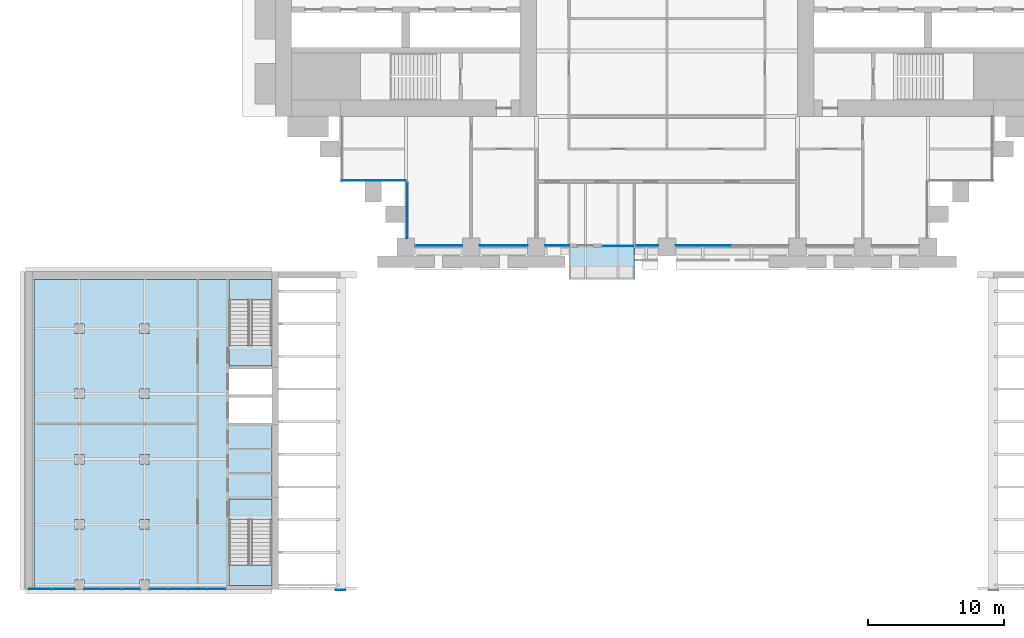
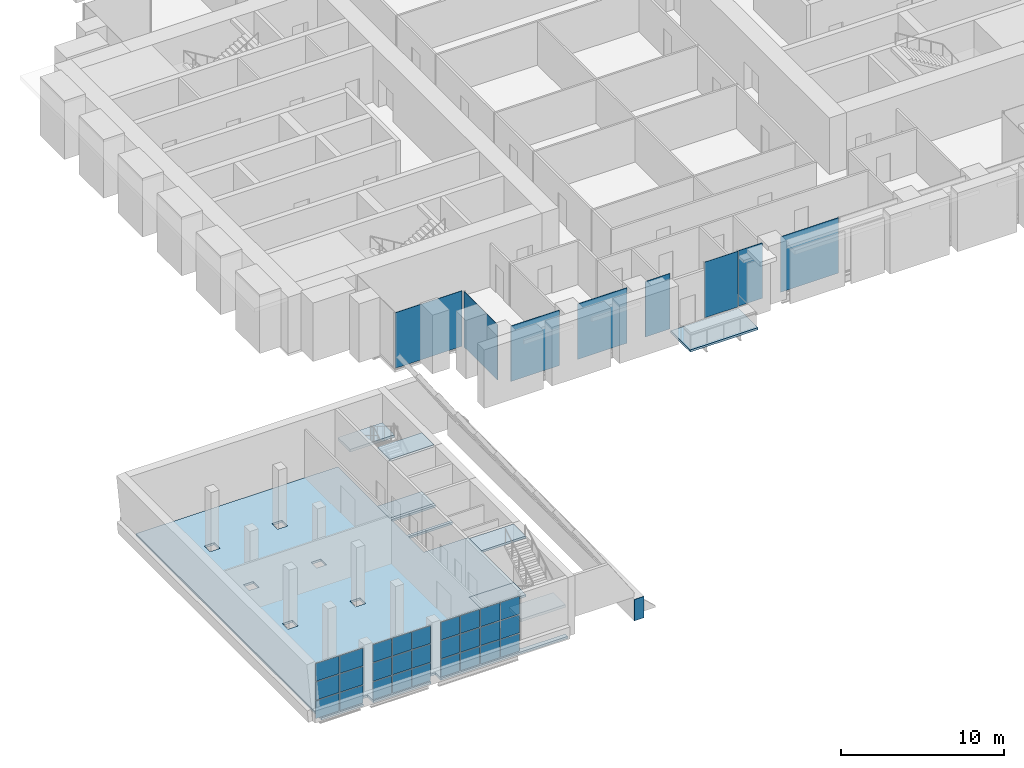
# One storey, part 18 of 32: 36 plates, 8 slabs, 10 elements without a shape of their own.
"""IFC4 building model written with IfcOpenShell, lengths in metres."""

from ifc_helpers import new_model, si_unit, direction, frame, origin, origin_2d, place, context, subcontext, project, spatial, polyline, rectangle, outline, extrude, material, layer, layer_set, type_object, element, aggregate, save


model = new_model("IFC4")

# Units and contexts
model_context = context("Model", 3, precision=1e-05, world=origin(), true_north=direction((0.0, 1.0)))
body_context = subcontext(model_context, "Body", "Model", "MODEL_VIEW")
ifc_project = project(units=[si_unit("LENGTHUNIT", "METRE"), si_unit("AREAUNIT", "SQUARE_METRE"), si_unit("VOLUMEUNIT", "CUBIC_METRE"), si_unit("PLANEANGLEUNIT", "RADIAN"), si_unit("MASSUNIT", "GRAM", prefix="KILO")], contexts=[model_context])

# Site, building, storey
site_placement = place(None, origin())
site = spatial("IfcSite", under=ifc_project, at=site_placement, CompositionType="ELEMENT")
building_placement = place(site_placement, origin())
building = spatial("IfcBuilding", under=site, at=building_placement, Name="Baori Bourse Tower", CompositionType="ELEMENT")
storey_placement = place(building_placement, frame((0.0, 0.0, 21.39990234375)))
storey = spatial("IfcBuildingStorey", under=building, at=storey_placement, Name="L03", CompositionType="ELEMENT", Elevation=21.39990234375)

# Slab
ifc_material_1 = material(Name="Concrete f'c 40 MPa", Category="concrete")
ifc_layer_1 = layer(ifc_material_1, 0.159912109375)
ifc_layer_set_1 = layer_set([ifc_layer_1], Name="BL2 Balcony slab 160")
slab_type_1 = type_object("IfcSlabType", Name="BL2 Balcony slab 160", PredefinedType="FLOOR", material=ifc_layer_set_1)
slab_1_placement = place(storey_placement, frame((0.0, 0.0, -0.159912109375)))
element("IfcSlab", 1, at=slab_1_placement, inside=storey, type_object=slab_type_1, Name="Balcony slab L03 S", PredefinedType="FLOOR", context=body_context, shape_type="SweptSolid", body=[
    extrude(outline(polyline([(21.60009765625, 0.0), (21.60009765625, -2.39990234375), (26.39990234375, -2.39990234375), (26.39990234375, 0.0), (21.60009765625, 0.0)])), origin(), (0.0, 0.0, 1.0), 0.159912109375),
])

# Curtain wall, plates
ifc_material_2 = material(Name="Pale anodised aluminium", Category="aluminium")
curtain_wall_type_1 = type_object("IfcCurtainWallType", Name="CW1 Curtain wall", PredefinedType="NOTDEFINED", material=ifc_material_2)
curtain_wall_1_placement = place(storey_placement, origin())
curtain_wall_1 = element("IfcCurtainWall", 2, at=curtain_wall_1_placement, inside=storey, type_object=curtain_wall_type_1, Name="Curtain wall CW1 L03 13", PredefinedType="NOTDEFINED")
ifc_material_3 = material(Name="Clear glass", Category="glass")
ifc_layer_2 = layer(ifc_material_3, 0.033935546875)
ifc_layer_set_2 = layer_set([ifc_layer_2], Name="CW1 Curtain wall panel")
plate_type_1 = type_object("IfcPlateType", Name="CW1 Curtain wall panel", PredefinedType="CURTAIN_PANEL", material=ifc_layer_set_2)
plate_1_placement = place(storey_placement, frame((12.030029296875, 0.10009765625, 0.080078125), z_axis=(0.0, 0.0, 1.0), x_axis=(1.0, 0.0, 0.0)))
plate_1 = element("IfcPlate", 3, at=plate_1_placement, type_object=plate_type_1, Name="Curtain wall CW1 panel", PredefinedType="CURTAIN_PANEL", context=body_context, shape_type="SweptSolid", body=[
    extrude(rectangle(XDim=3.43994140625, YDim=0.033935546875, at=origin_2d()), origin(), (0.0, 0.0, 1.0), 4.159912109375),
])
plate_2_placement = place(storey_placement, frame((16.800048828125, 0.10009765625, 0.080078125), z_axis=(0.0, 0.0, 1.0), x_axis=(1.0, 0.0, 0.0)))
plate_2 = element("IfcPlate", 4, at=plate_2_placement, type_object=plate_type_1, Name="Curtain wall CW1 panel", PredefinedType="CURTAIN_PANEL", context=body_context, shape_type="SweptSolid", body=[
    extrude(rectangle(XDim=3.5, YDim=0.033935546875, at=origin_2d()), origin(), (0.0, 0.0, 1.0), 4.159912109375),
])
plate_3_placement = place(storey_placement, frame((20.72509765625, 0.10009765625, 0.080078125), z_axis=(0.0, 0.0, 1.0), x_axis=(1.0, 0.0, 0.0)))
plate_3 = element("IfcPlate", 5, at=plate_3_placement, type_object=plate_type_1, Name="Curtain wall CW1 panel", PredefinedType="CURTAIN_PANEL", context=body_context, shape_type="SweptSolid", body=[
    extrude(rectangle(XDim=1.75, YDim=0.033935546875, at=origin_2d()), origin(), (0.0, 0.0, 1.0), 4.159912109375),
])
aggregate(curtain_wall_1, [plate_1, plate_2, plate_3])

curtain_wall_2_placement = place(storey_placement, origin())
curtain_wall_2 = element("IfcCurtainWall", 6, at=curtain_wall_2_placement, inside=storey, type_object=curtain_wall_type_1, Name="Curtain wall CW1 L03 15", PredefinedType="NOTDEFINED")
plate_4_placement = place(storey_placement, frame((27.304931640625, 0.10009765625, 0.080078125), z_axis=(0.0, 0.0, 1.0), x_axis=(1.0, 0.0, 0.0)))
plate_4 = element("IfcPlate", 7, at=plate_4_placement, type_object=plate_type_1, Name="Curtain wall CW1 panel", PredefinedType="CURTAIN_PANEL", context=body_context, shape_type="SweptSolid", body=[
    extrude(rectangle(XDim=1.68994140625, YDim=0.033935546875, at=origin_2d()), origin(), (0.0, 0.0, 1.0), 4.159912109375),
])
plate_5_placement = place(storey_placement, frame((31.510009765625, 0.10009765625, 0.080078125), z_axis=(0.0, 0.0, 1.0), x_axis=(1.0, 0.0, 0.0)))
plate_5 = element("IfcPlate", 8, at=plate_5_placement, type_object=plate_type_1, Name="Curtain wall CW1 panel", PredefinedType="CURTAIN_PANEL", context=body_context, shape_type="SweptSolid", body=[
    extrude(rectangle(XDim=4.1201171875, YDim=0.033935546875, at=origin_2d()), origin(), (0.0, 0.0, 1.0), 4.159912109375),
])
aggregate(curtain_wall_2, [plate_4, plate_5])

# Curtain wall, plate
ifc_material_4 = material(Name="Pale anodised aluminium", Category="aluminium")
curtain_wall_type_2 = type_object("IfcCurtainWallType", Name="CW2 Curtain wall", PredefinedType="NOTDEFINED", material=ifc_material_4)
curtain_wall_3_placement = place(storey_placement, origin())
curtain_wall_3 = element("IfcCurtainWall", 9, at=curtain_wall_3_placement, inside=storey, type_object=curtain_wall_type_2, Name="Curtain wall CW2 L03 11", PredefinedType="NOTDEFINED")
ifc_material_5 = material(Name="Clear glass", Category="glass")
ifc_layer_3 = layer(ifc_material_5, 0.030029296875)
ifc_layer_set_3 = layer_set([ifc_layer_3], Name="CW2 Curtain wall panel")
plate_type_2 = type_object("IfcPlateType", Name="CW2 Curtain wall panel", PredefinedType="CURTAIN_PANEL", material=ifc_layer_set_3)
plate_6_placement = place(storey_placement, frame((7.2275390625, 4.889892578125, 0.070068359375), z_axis=(0.0, 0.0, 1.0), x_axis=(1.0, 0.0, 0.0)))
plate_6 = element("IfcPlate", 10, at=plate_6_placement, type_object=plate_type_2, Name="Curtain wall CW2 panel", PredefinedType="CURTAIN_PANEL", context=body_context, shape_type="SweptSolid", body=[
    extrude(rectangle(XDim=4.7451171875, YDim=0.030029296875, at=origin_2d()), origin(), (0.0, 0.0, 1.0), 4.169921875),
])
aggregate(curtain_wall_3, [plate_6])

curtain_wall_4_placement = place(storey_placement, origin())
curtain_wall_4 = element("IfcCurtainWall", 11, at=curtain_wall_4_placement, inside=storey, type_object=curtain_wall_type_2, Name="Curtain wall CW2 L03 12", PredefinedType="NOTDEFINED")
plate_7_placement = place(storey_placement, frame((9.68994140625, 2.697509765625, 0.070068359375), z_axis=(0.0, 0.0, 1.0), x_axis=(0.0, -1.0, 0.0)))
plate_7 = element("IfcPlate", 12, at=plate_7_placement, type_object=plate_type_2, Name="Curtain wall CW2 panel", PredefinedType="CURTAIN_PANEL", context=body_context, shape_type="SweptSolid", body=[
    extrude(rectangle(XDim=4.094970703125, YDim=0.030029296875, at=origin_2d()), origin(), (0.0, 0.0, 1.0), 4.169921875),
])
aggregate(curtain_wall_4, [plate_7])

ifc_material_6 = material(Name="Pale anodised aluminium", Category="aluminium")
curtain_wall_type_3 = type_object("IfcCurtainWallType", Name="CW6 Curtain wall", PredefinedType="NOTDEFINED", material=ifc_material_6)
curtain_wall_5_placement = place(storey_placement, origin())
curtain_wall_5 = element("IfcCurtainWall", 13, at=curtain_wall_5_placement, inside=storey, type_object=curtain_wall_type_3, Name="Curtain wall CW6 L03 14", PredefinedType="NOTDEFINED")
ifc_material_7 = material(Name="Clear glass", Category="glass")
ifc_layer_4 = layer(ifc_material_7, 0.028076171875)
ifc_layer_set_4 = layer_set([ifc_layer_4], Name="CW6 Curtain wall panel")
plate_type_3 = type_object("IfcPlateType", Name="CW6 Curtain wall panel", PredefinedType="CURTAIN_PANEL", material=ifc_layer_set_4)
plate_8_placement = place(storey_placement, frame((25.22509765625, 0.074951171875, 0.06494140625), z_axis=(0.0, 0.0, 1.0), x_axis=(1.0, 0.0, 0.0)))
plate_8 = element("IfcPlate", 14, at=plate_8_placement, type_object=plate_type_3, Name="Curtain wall CW6 panel", PredefinedType="CURTAIN_PANEL", context=body_context, shape_type="SweptSolid", body=[
    extrude(rectangle(XDim=2.35009765625, YDim=0.028076171875, at=origin_2d()), origin(), (0.0, 0.0, 1.0), 4.175048828125),
])
aggregate(curtain_wall_5, [plate_8])

# Stair, slabs
ifc_material_8 = material(Name="Concrete f'c 40 MPa", Category="concrete")
stair_type = type_object("IfcStairType", Name="Wing exit stair 1500", PredefinedType="HALF_TURN_STAIR", material=ifc_material_8)
stair_1_placement = place(storey_placement, origin())
stair_1 = element("IfcStair", 15, at=stair_1_placement, inside=storey, type_object=stair_type, Name="L03 Exit stair WA", PredefinedType="HALF_TURN_STAIR")
ifc_material_9 = material(Name="Concrete f'c 40 MPa", Category="concrete")
ifc_layer_5 = layer(ifc_material_9, 0.159912109375)
ifc_layer_set_5 = layer_set([ifc_layer_5], Name="Exit stair arrival landing 160")
slab_type_2 = type_object("IfcSlabType", Name="Exit stair arrival landing 160", PredefinedType="LANDING", material=ifc_layer_set_5)
slab_2_placement = place(storey_placement, frame((0.0, 0.0, -0.159912109375)))
slab_2 = element("IfcSlab", 16, at=slab_2_placement, type_object=slab_type_2, Name="L03 exit stair WA arrival landing", PredefinedType="LANDING", context=body_context, shape_type="SweptSolid", body=[
    extrude(outline(polyline([(-0.25, -7.258544921875), (-3.39990234375, -7.258544921875), (-3.39990234375, -8.760009765625), (-0.25, -8.760009765625), (-0.25, -7.258544921875)])), origin(), (0.0, 0.0, 1.0), 0.159912109375),
])
placement = place(building_placement, frame((0.0, 0.0, 25.800048828125)))
slab_3_placement = place(placement, frame((0.0, 0.0, -0.16015625)))
slab_3 = element("IfcSlab", 17, at=slab_3_placement, type_object=slab_type_2, Name="L04 exit stair WA arrival landing", PredefinedType="LANDING", context=body_context, shape_type="SweptSolid", body=[
    extrude(outline(polyline([(-0.25, -7.258544921875), (-3.39990234375, -7.258544921875), (-3.39990234375, -8.760009765625), (-0.25, -8.760009765625), (-0.25, -7.258544921875)])), origin(), (0.0, 0.0, 1.0), 0.16015625),
])

stair_2_placement = place(storey_placement, origin())
stair_2 = element("IfcStair", 18, at=stair_2_placement, inside=storey, type_object=stair_type, Name="L03 Exit stair WB", PredefinedType="HALF_TURN_STAIR")
slab_4_placement = place(storey_placement, frame((0.0, 0.0, -0.159912109375)))
slab_4 = element("IfcSlab", 19, at=slab_4_placement, type_object=slab_type_2, Name="L03 exit stair WB arrival landing", PredefinedType="LANDING", context=body_context, shape_type="SweptSolid", body=[
    extrude(outline(polyline([(-3.39990234375, -20.04150390625), (-0.25, -20.04150390625), (-0.25, -18.5400390625), (-3.39990234375, -18.5400390625), (-3.39990234375, -20.04150390625)])), origin(), (0.0, 0.0, 1.0), 0.159912109375),
])
slab_5_placement = place(placement, frame((0.0, 0.0, -0.16015625)))
slab_5 = element("IfcSlab", 20, at=slab_5_placement, type_object=slab_type_2, Name="L04 exit stair WB arrival landing", PredefinedType="LANDING", context=body_context, shape_type="SweptSolid", body=[
    extrude(outline(polyline([(-3.39990234375, -20.04150390625), (-0.25, -20.04150390625), (-0.25, -18.5400390625), (-3.39990234375, -18.5400390625), (-3.39990234375, -20.04150390625)])), origin(), (0.0, 0.0, 1.0), 0.16015625),
])

# Plate
ifc_material_10 = material(Name="Steel A572 Gr 50", Category="steel")
ifc_layer_6 = layer(ifc_material_10, 0.030029296875)
ifc_layer_set_6 = layer_set([ifc_layer_6], Name="Girder end plate 30")
plate_type_4 = type_object("IfcPlateType", Name="Girder end plate 30", PredefinedType="SHEET", material=ifc_layer_set_6)
plate_9_placement = place(storey_placement, frame((0.0, 0.0, -0.47314453125)))
element("IfcPlate", 21, at=plate_9_placement, inside=storey, type_object=plate_type_4, Name="Girder end plate", PredefinedType="SHEET", context=body_context, shape_type="SweptSolid", body=[
    extrude(outline(polyline([(4.449951171875, -25.22998046875), (5.14990234375, -25.22998046875), (5.14990234375, -25.199951171875), (4.449951171875, -25.199951171875), (4.449951171875, -25.22998046875)])), origin(), (0.0, 0.0, 1.0), 1.599853515625),
])

# Slab
ifc_material_11 = material(Name="Concrete f'c 40 MPa", Category="concrete")
ifc_layer_7 = layer(ifc_material_11, 0.159912109375)
ifc_layer_set_7 = layer_set([ifc_layer_7], Name="Wing floor slab 160")
slab_type_3 = type_object("IfcSlabType", Name="Wing floor slab 160", PredefinedType="FLOOR", material=ifc_layer_set_7)
slab_6_placement = place(storey_placement, frame((0.0, 0.0, -0.159912109375)))
element("IfcSlab", 22, at=slab_6_placement, inside=storey, type_object=slab_type_3, Name="wing/L03/Wfloor/001", PredefinedType="FLOOR", context=body_context, shape_type="SweptSolid", body=[
    extrude(outline(polyline([(-0.25, -10.860107421875), (-3.39990234375, -10.860107421875), (-3.39990234375, -8.9599609375), (-0.25, -8.9599609375), (-0.25, -8.760009765625), (-3.39990234375, -8.760009765625), (-3.39990234375, -2.39990234375), (-17.734619140625, -2.39990234375), (-17.734619140625, -25.199951171875), (-14.75, -25.199951171875), (-14.75, -24.5), (-14.050048828125, -24.5), (-14.050048828125, -25.199951171875), (-9.949951171875, -25.199951171875), (-9.949951171875, -24.5), (-9.25, -24.5), (-9.25, -25.199951171875), (-0.25, -25.199951171875), (-0.25, -24.89990234375), (-3.39990234375, -24.89990234375), (-3.39990234375, -18.5400390625), (-0.25, -18.5400390625), (-0.25, -12.9599609375), (-3.39990234375, -12.9599609375), (-3.39990234375, -11.06005859375), (-0.25, -11.06005859375), (-0.25, -10.860107421875)]), holes=[polyline([(-14.75, -20.050048828125), (-14.75, -20.75), (-14.050048828125, -20.75), (-14.050048828125, -20.050048828125), (-14.75, -20.050048828125)]), polyline([(-14.050048828125, -15.25), (-14.75, -15.25), (-14.75, -15.949951171875), (-14.050048828125, -15.949951171875), (-14.050048828125, -15.25)]), polyline([(-14.050048828125, -11.14990234375), (-14.050048828125, -10.449951171875), (-14.75, -10.449951171875), (-14.75, -11.14990234375), (-14.050048828125, -11.14990234375)]), polyline([(-14.75, -6.35009765625), (-14.050048828125, -6.35009765625), (-14.050048828125, -5.64990234375), (-14.75, -5.64990234375), (-14.75, -6.35009765625)]), polyline([(-9.25, -20.050048828125), (-9.949951171875, -20.050048828125), (-9.949951171875, -20.75), (-9.25, -20.75), (-9.25, -20.050048828125)]), polyline([(-9.25, -15.949951171875), (-9.25, -15.25), (-9.949951171875, -15.25), (-9.949951171875, -15.949951171875), (-9.25, -15.949951171875)]), polyline([(-9.949951171875, -11.14990234375), (-9.25, -11.14990234375), (-9.25, -10.449951171875), (-9.949951171875, -10.449951171875), (-9.949951171875, -11.14990234375)]), polyline([(-9.949951171875, -5.64990234375), (-9.949951171875, -6.35009765625), (-9.25, -6.35009765625), (-9.25, -5.64990234375), (-9.949951171875, -5.64990234375)])]), origin(), (0.0, 0.0, 1.0), 0.159912109375),
])

# Curtain wall, plates
ifc_material_12 = material(Name="Pale anodised aluminium", Category="aluminium")
ifc_layer_8 = layer(ifc_material_12, 0.10009765625)
ifc_layer_set_8 = layer_set([ifc_layer_8], Name="Wing curtain wall")
curtain_wall_type_4 = type_object("IfcCurtainWallType", Name="Wing curtain wall", PredefinedType="NOTDEFINED", material=ifc_layer_set_8)
curtain_wall_6_placement = place(storey_placement, origin())
curtain_wall_6 = element("IfcCurtainWall", 23, at=curtain_wall_6_placement, inside=storey, type_object=curtain_wall_type_4, Name="wing/L03/Wcw/001", PredefinedType="NOTDEFINED")
ifc_material_13 = material(Name="Clear glass", Category="glass")
ifc_layer_9 = layer(ifc_material_13, 0.028076171875)
ifc_layer_set_9 = layer_set([ifc_layer_9], Name="Wing glass panel 28")
plate_type_5 = type_object("IfcPlateType", Name="Wing glass panel 28", PredefinedType="CURTAIN_PANEL", material=ifc_layer_set_9)
plate_10_placement = place(storey_placement, frame((-17.290283203125, -25.14990234375, 0.06005859375), z_axis=(0.0, 0.0, 1.0), x_axis=(1.0, 0.0, 0.0)))
plate_10 = element("IfcPlate", 24, at=plate_10_placement, type_object=plate_type_5, Name="X12 panel 1.1", PredefinedType="CURTAIN_PANEL", context=body_context, shape_type="SweptSolid", body=[
    extrude(rectangle(XDim=1.646728515625, YDim=0.028076171875, at=origin_2d()), origin(), (0.0, 0.0, 1.0), 1.3232421875),
])
plate_11_placement = place(storey_placement, frame((-17.290283203125, -25.14990234375, 1.443359375), z_axis=(0.0, 0.0, 1.0), x_axis=(1.0, 0.0, 0.0)))
plate_11 = element("IfcPlate", 25, at=plate_11_placement, type_object=plate_type_5, Name="X12 panel 1.2", PredefinedType="CURTAIN_PANEL", context=body_context, shape_type="SweptSolid", body=[
    extrude(rectangle(XDim=1.646728515625, YDim=0.028076171875, at=origin_2d()), origin(), (0.0, 0.0, 1.0), 1.353271484375),
])
plate_12_placement = place(storey_placement, frame((-17.290283203125, -25.14990234375, 2.856689453125), z_axis=(0.0, 0.0, 1.0), x_axis=(1.0, 0.0, 0.0)))
plate_12 = element("IfcPlate", 26, at=plate_12_placement, type_object=plate_type_5, Name="X12 panel 1.3", PredefinedType="CURTAIN_PANEL", context=body_context, shape_type="SweptSolid", body=[
    extrude(rectangle(XDim=1.646728515625, YDim=0.028076171875, at=origin_2d()), origin(), (0.0, 0.0, 1.0), 1.3232421875),
])
plate_13_placement = place(storey_placement, frame((-15.58349609375, -25.14990234375, 0.06005859375), z_axis=(0.0, 0.0, 1.0), x_axis=(1.0, 0.0, 0.0)))
plate_13 = element("IfcPlate", 27, at=plate_13_placement, type_object=plate_type_5, Name="X12 panel 2.1", PredefinedType="CURTAIN_PANEL", context=body_context, shape_type="SweptSolid", body=[
    extrude(rectangle(XDim=1.646728515625, YDim=0.028076171875, at=origin_2d()), origin(), (0.0, 0.0, 1.0), 1.3232421875),
])
plate_14_placement = place(storey_placement, frame((-15.58349609375, -25.14990234375, 1.443359375), z_axis=(0.0, 0.0, 1.0), x_axis=(1.0, 0.0, 0.0)))
plate_14 = element("IfcPlate", 28, at=plate_14_placement, type_object=plate_type_5, Name="X12 panel 2.2", PredefinedType="CURTAIN_PANEL", context=body_context, shape_type="SweptSolid", body=[
    extrude(rectangle(XDim=1.646728515625, YDim=0.028076171875, at=origin_2d()), origin(), (0.0, 0.0, 1.0), 1.353271484375),
])
plate_15_placement = place(storey_placement, frame((-15.58349609375, -25.14990234375, 2.856689453125), z_axis=(0.0, 0.0, 1.0), x_axis=(1.0, 0.0, 0.0)))
plate_15 = element("IfcPlate", 29, at=plate_15_placement, type_object=plate_type_5, Name="X12 panel 2.3", PredefinedType="CURTAIN_PANEL", context=body_context, shape_type="SweptSolid", body=[
    extrude(rectangle(XDim=1.646728515625, YDim=0.028076171875, at=origin_2d()), origin(), (0.0, 0.0, 1.0), 1.3232421875),
])
aggregate(curtain_wall_6, [plate_10, plate_11, plate_12, plate_13, plate_14, plate_15])

curtain_wall_7_placement = place(storey_placement, origin())
curtain_wall_7 = element("IfcCurtainWall", 30, at=curtain_wall_7_placement, inside=storey, type_object=curtain_wall_type_4, Name="wing/L03/Wcw/002", PredefinedType="NOTDEFINED")
plate_16_placement = place(storey_placement, frame((-13.385009765625, -25.14990234375, 0.06005859375), z_axis=(0.0, 0.0, 1.0), x_axis=(1.0, 0.0, 0.0)))
plate_16 = element("IfcPlate", 31, at=plate_16_placement, type_object=plate_type_5, Name="X12 panel 1.1", PredefinedType="CURTAIN_PANEL", context=body_context, shape_type="SweptSolid", body=[
    extrude(rectangle(XDim=1.31005859375, YDim=0.028076171875, at=origin_2d()), origin(), (0.0, 0.0, 1.0), 1.3232421875),
])
plate_17_placement = place(storey_placement, frame((-13.385009765625, -25.14990234375, 1.443359375), z_axis=(0.0, 0.0, 1.0), x_axis=(1.0, 0.0, 0.0)))
plate_17 = element("IfcPlate", 32, at=plate_17_placement, type_object=plate_type_5, Name="X12 panel 1.2", PredefinedType="CURTAIN_PANEL", context=body_context, shape_type="SweptSolid", body=[
    extrude(rectangle(XDim=1.31005859375, YDim=0.028076171875, at=origin_2d()), origin(), (0.0, 0.0, 1.0), 1.353271484375),
])
plate_18_placement = place(storey_placement, frame((-13.385009765625, -25.14990234375, 2.856689453125), z_axis=(0.0, 0.0, 1.0), x_axis=(1.0, 0.0, 0.0)))
plate_18 = element("IfcPlate", 33, at=plate_18_placement, type_object=plate_type_5, Name="X12 panel 1.3", PredefinedType="CURTAIN_PANEL", context=body_context, shape_type="SweptSolid", body=[
    extrude(rectangle(XDim=1.31005859375, YDim=0.028076171875, at=origin_2d()), origin(), (0.0, 0.0, 1.0), 1.3232421875),
])
plate_19_placement = place(storey_placement, frame((-12.0, -25.14990234375, 0.06005859375), z_axis=(0.0, 0.0, 1.0), x_axis=(1.0, 0.0, 0.0)))
plate_19 = element("IfcPlate", 34, at=plate_19_placement, type_object=plate_type_5, Name="X12 panel 2.1", PredefinedType="CURTAIN_PANEL", context=body_context, shape_type="SweptSolid", body=[
    extrude(rectangle(XDim=1.340087890625, YDim=0.028076171875, at=origin_2d()), origin(), (0.0, 0.0, 1.0), 1.3232421875),
])
plate_20_placement = place(storey_placement, frame((-12.0, -25.14990234375, 1.443359375), z_axis=(0.0, 0.0, 1.0), x_axis=(1.0, 0.0, 0.0)))
plate_20 = element("IfcPlate", 35, at=plate_20_placement, type_object=plate_type_5, Name="X12 panel 2.2", PredefinedType="CURTAIN_PANEL", context=body_context, shape_type="SweptSolid", body=[
    extrude(rectangle(XDim=1.340087890625, YDim=0.028076171875, at=origin_2d()), origin(), (0.0, 0.0, 1.0), 1.353271484375),
])
plate_21_placement = place(storey_placement, frame((-12.0, -25.14990234375, 2.856689453125), z_axis=(0.0, 0.0, 1.0), x_axis=(1.0, 0.0, 0.0)))
plate_21 = element("IfcPlate", 36, at=plate_21_placement, type_object=plate_type_5, Name="X12 panel 2.3", PredefinedType="CURTAIN_PANEL", context=body_context, shape_type="SweptSolid", body=[
    extrude(rectangle(XDim=1.340087890625, YDim=0.028076171875, at=origin_2d()), origin(), (0.0, 0.0, 1.0), 1.3232421875),
])
plate_22_placement = place(storey_placement, frame((-10.614990234375, -25.14990234375, 0.06005859375), z_axis=(0.0, 0.0, 1.0), x_axis=(1.0, 0.0, 0.0)))
plate_22 = element("IfcPlate", 37, at=plate_22_placement, type_object=plate_type_5, Name="X12 panel 3.1", PredefinedType="CURTAIN_PANEL", context=body_context, shape_type="SweptSolid", body=[
    extrude(rectangle(XDim=1.31005859375, YDim=0.028076171875, at=origin_2d()), origin(), (0.0, 0.0, 1.0), 1.3232421875),
])
plate_23_placement = place(storey_placement, frame((-10.614990234375, -25.14990234375, 1.443359375), z_axis=(0.0, 0.0, 1.0), x_axis=(1.0, 0.0, 0.0)))
plate_23 = element("IfcPlate", 38, at=plate_23_placement, type_object=plate_type_5, Name="X12 panel 3.2", PredefinedType="CURTAIN_PANEL", context=body_context, shape_type="SweptSolid", body=[
    extrude(rectangle(XDim=1.31005859375, YDim=0.028076171875, at=origin_2d()), origin(), (0.0, 0.0, 1.0), 1.353271484375),
])
plate_24_placement = place(storey_placement, frame((-10.614990234375, -25.14990234375, 2.856689453125), z_axis=(0.0, 0.0, 1.0), x_axis=(1.0, 0.0, 0.0)))
plate_24 = element("IfcPlate", 39, at=plate_24_placement, type_object=plate_type_5, Name="X12 panel 3.3", PredefinedType="CURTAIN_PANEL", context=body_context, shape_type="SweptSolid", body=[
    extrude(rectangle(XDim=1.31005859375, YDim=0.028076171875, at=origin_2d()), origin(), (0.0, 0.0, 1.0), 1.3232421875),
])
aggregate(curtain_wall_7, [plate_16, plate_17, plate_18, plate_19, plate_20, plate_21, plate_22, plate_23, plate_24])

curtain_wall_8_placement = place(storey_placement, origin())
curtain_wall_8 = element("IfcCurtainWall", 40, at=curtain_wall_8_placement, inside=storey, type_object=curtain_wall_type_4, Name="wing/L03/Wcw/003", PredefinedType="NOTDEFINED")
plate_25_placement = place(storey_placement, frame((-8.572509765625, -25.14990234375, 0.06005859375), z_axis=(0.0, 0.0, 1.0), x_axis=(1.0, 0.0, 0.0)))
plate_25 = element("IfcPlate", 41, at=plate_25_placement, type_object=plate_type_5, Name="X12 panel 1.1", PredefinedType="CURTAIN_PANEL", context=body_context, shape_type="SweptSolid", body=[
    extrude(rectangle(XDim=1.3349609375, YDim=0.028076171875, at=origin_2d()), origin(), (0.0, 0.0, 1.0), 1.3232421875),
])
plate_26_placement = place(storey_placement, frame((-8.572509765625, -25.14990234375, 1.443359375), z_axis=(0.0, 0.0, 1.0), x_axis=(1.0, 0.0, 0.0)))
plate_26 = element("IfcPlate", 42, at=plate_26_placement, type_object=plate_type_5, Name="X12 panel 1.2", PredefinedType="CURTAIN_PANEL", context=body_context, shape_type="SweptSolid", body=[
    extrude(rectangle(XDim=1.3349609375, YDim=0.028076171875, at=origin_2d()), origin(), (0.0, 0.0, 1.0), 1.353271484375),
])
plate_27_placement = place(storey_placement, frame((-8.572509765625, -25.14990234375, 2.856689453125), z_axis=(0.0, 0.0, 1.0), x_axis=(1.0, 0.0, 0.0)))
plate_27 = element("IfcPlate", 43, at=plate_27_placement, type_object=plate_type_5, Name="X12 panel 1.3", PredefinedType="CURTAIN_PANEL", context=body_context, shape_type="SweptSolid", body=[
    extrude(rectangle(XDim=1.3349609375, YDim=0.028076171875, at=origin_2d()), origin(), (0.0, 0.0, 1.0), 1.3232421875),
])
plate_28_placement = place(storey_placement, frame((-7.16259765625, -25.14990234375, 0.06005859375), z_axis=(0.0, 0.0, 1.0), x_axis=(1.0, 0.0, 0.0)))
plate_28 = element("IfcPlate", 44, at=plate_28_placement, type_object=plate_type_5, Name="X12 panel 2.1", PredefinedType="CURTAIN_PANEL", context=body_context, shape_type="SweptSolid", body=[
    extrude(rectangle(XDim=1.364990234375, YDim=0.028076171875, at=origin_2d()), origin(), (0.0, 0.0, 1.0), 1.3232421875),
])
plate_29_placement = place(storey_placement, frame((-7.16259765625, -25.14990234375, 1.443359375), z_axis=(0.0, 0.0, 1.0), x_axis=(1.0, 0.0, 0.0)))
plate_29 = element("IfcPlate", 45, at=plate_29_placement, type_object=plate_type_5, Name="X12 panel 2.2", PredefinedType="CURTAIN_PANEL", context=body_context, shape_type="SweptSolid", body=[
    extrude(rectangle(XDim=1.364990234375, YDim=0.028076171875, at=origin_2d()), origin(), (0.0, 0.0, 1.0), 1.353271484375),
])
plate_30_placement = place(storey_placement, frame((-7.16259765625, -25.14990234375, 2.856689453125), z_axis=(0.0, 0.0, 1.0), x_axis=(1.0, 0.0, 0.0)))
plate_30 = element("IfcPlate", 46, at=plate_30_placement, type_object=plate_type_5, Name="X12 panel 2.3", PredefinedType="CURTAIN_PANEL", context=body_context, shape_type="SweptSolid", body=[
    extrude(rectangle(XDim=1.364990234375, YDim=0.028076171875, at=origin_2d()), origin(), (0.0, 0.0, 1.0), 1.3232421875),
])
plate_31_placement = place(storey_placement, frame((-5.737548828125, -25.14990234375, 0.06005859375), z_axis=(0.0, 0.0, 1.0), x_axis=(1.0, 0.0, 0.0)))
plate_31 = element("IfcPlate", 47, at=plate_31_placement, type_object=plate_type_5, Name="X12 panel 3.1", PredefinedType="CURTAIN_PANEL", context=body_context, shape_type="SweptSolid", body=[
    extrude(rectangle(XDim=1.364990234375, YDim=0.028076171875, at=origin_2d()), origin(), (0.0, 0.0, 1.0), 1.3232421875),
])
plate_32_placement = place(storey_placement, frame((-5.737548828125, -25.14990234375, 1.443359375), z_axis=(0.0, 0.0, 1.0), x_axis=(1.0, 0.0, 0.0)))
plate_32 = element("IfcPlate", 48, at=plate_32_placement, type_object=plate_type_5, Name="X12 panel 3.2", PredefinedType="CURTAIN_PANEL", context=body_context, shape_type="SweptSolid", body=[
    extrude(rectangle(XDim=1.364990234375, YDim=0.028076171875, at=origin_2d()), origin(), (0.0, 0.0, 1.0), 1.353271484375),
])
plate_33_placement = place(storey_placement, frame((-5.737548828125, -25.14990234375, 2.856689453125), z_axis=(0.0, 0.0, 1.0), x_axis=(1.0, 0.0, 0.0)))
plate_33 = element("IfcPlate", 49, at=plate_33_placement, type_object=plate_type_5, Name="X12 panel 3.3", PredefinedType="CURTAIN_PANEL", context=body_context, shape_type="SweptSolid", body=[
    extrude(rectangle(XDim=1.364990234375, YDim=0.028076171875, at=origin_2d()), origin(), (0.0, 0.0, 1.0), 1.3232421875),
])
plate_34_placement = place(storey_placement, frame((-4.327392578125, -25.14990234375, 0.06005859375), z_axis=(0.0, 0.0, 1.0), x_axis=(1.0, 0.0, 0.0)))
plate_34 = element("IfcPlate", 50, at=plate_34_placement, type_object=plate_type_5, Name="X12 panel 4.1", PredefinedType="CURTAIN_PANEL", context=body_context, shape_type="SweptSolid", body=[
    extrude(rectangle(XDim=1.3349609375, YDim=0.028076171875, at=origin_2d()), origin(), (0.0, 0.0, 1.0), 1.3232421875),
])
plate_35_placement = place(storey_placement, frame((-4.327392578125, -25.14990234375, 1.443359375), z_axis=(0.0, 0.0, 1.0), x_axis=(1.0, 0.0, 0.0)))
plate_35 = element("IfcPlate", 51, at=plate_35_placement, type_object=plate_type_5, Name="X12 panel 4.2", PredefinedType="CURTAIN_PANEL", context=body_context, shape_type="SweptSolid", body=[
    extrude(rectangle(XDim=1.3349609375, YDim=0.028076171875, at=origin_2d()), origin(), (0.0, 0.0, 1.0), 1.353271484375),
])
plate_36_placement = place(storey_placement, frame((-4.327392578125, -25.14990234375, 2.856689453125), z_axis=(0.0, 0.0, 1.0), x_axis=(1.0, 0.0, 0.0)))
plate_36 = element("IfcPlate", 52, at=plate_36_placement, type_object=plate_type_5, Name="X12 panel 4.3", PredefinedType="CURTAIN_PANEL", context=body_context, shape_type="SweptSolid", body=[
    extrude(rectangle(XDim=1.3349609375, YDim=0.028076171875, at=origin_2d()), origin(), (0.0, 0.0, 1.0), 1.3232421875),
])
aggregate(curtain_wall_8, [plate_25, plate_26, plate_27, plate_28, plate_29, plate_30, plate_31, plate_32, plate_33, plate_34, plate_35, plate_36])

# Slab
ifc_material_14 = material(Name="Concrete f'c 40 MPa", Category="concrete")
ifc_layer_10 = layer(ifc_material_14, 0.199951171875)
ifc_layer_set_10 = layer_set([ifc_layer_10], Name="Wing stair landing 200")
slab_type_4 = type_object("IfcSlabType", Name="Wing stair landing 200", PredefinedType="LANDING", material=ifc_layer_set_10)
slab_7_placement = place(storey_placement, frame((0.0, 0.0, 2.0)))
slab_7 = element("IfcSlab", 53, at=slab_7_placement, type_object=slab_type_4, Name="W-STA landing 1", PredefinedType="LANDING", context=body_context, shape_type="SweptSolid", body=[
    extrude(outline(polyline([(-0.25, -3.89990234375), (-0.25, -2.39990234375), (-3.39990234375, -2.39990234375), (-3.39990234375, -3.89990234375), (-0.25, -3.89990234375)])), origin(), (0.0, 0.0, 1.0), 0.2001953125),
])

aggregate(stair_1, [slab_7, slab_2, slab_3])

slab_8_placement = place(storey_placement, frame((0.0, 0.0, 2.0)))
slab_8 = element("IfcSlab", 54, at=slab_8_placement, type_object=slab_type_4, Name="W-STB landing 1", PredefinedType="LANDING", context=body_context, shape_type="SweptSolid", body=[
    extrude(outline(polyline([(-3.39990234375, -23.39990234375), (-3.39990234375, -24.89990234375), (-0.25, -24.89990234375), (-0.25, -23.39990234375), (-3.39990234375, -23.39990234375)])), origin(), (0.0, 0.0, 1.0), 0.2001953125),
])

aggregate(stair_2, [slab_8, slab_4, slab_5])

save(model, "model.ifc")
